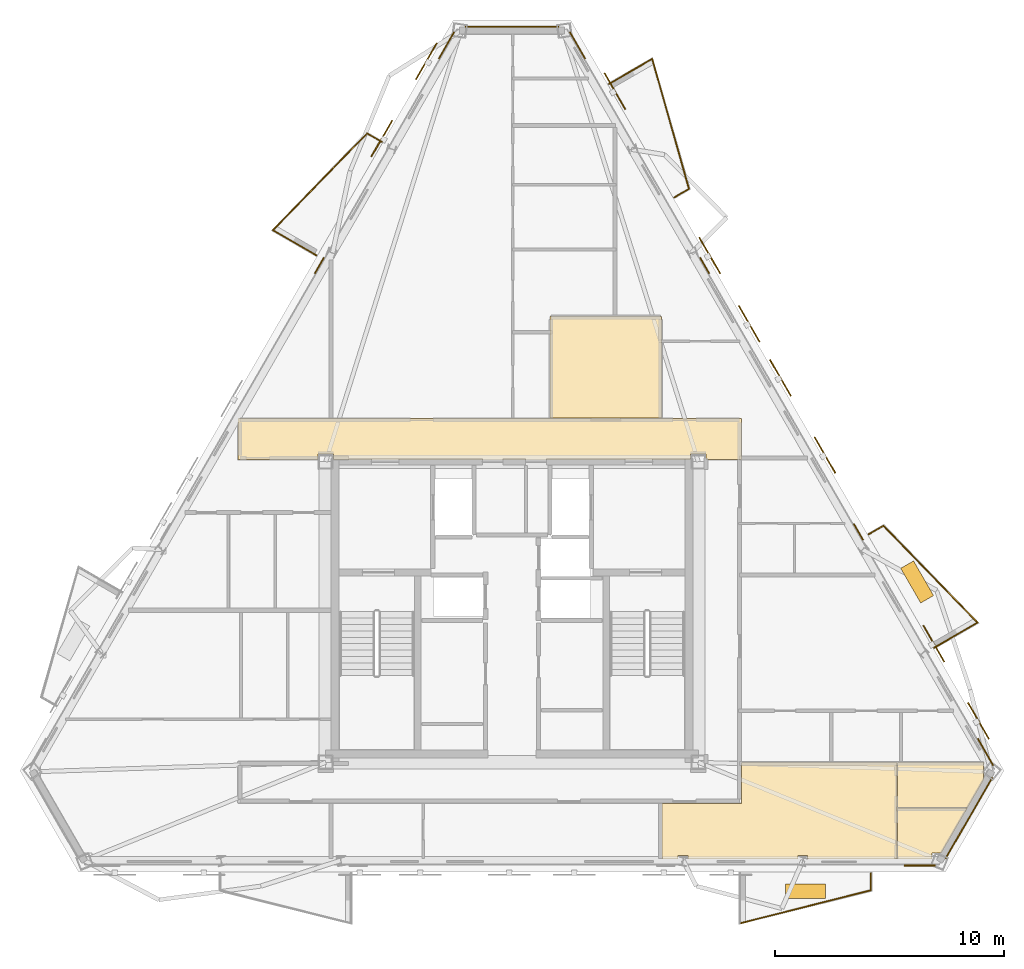
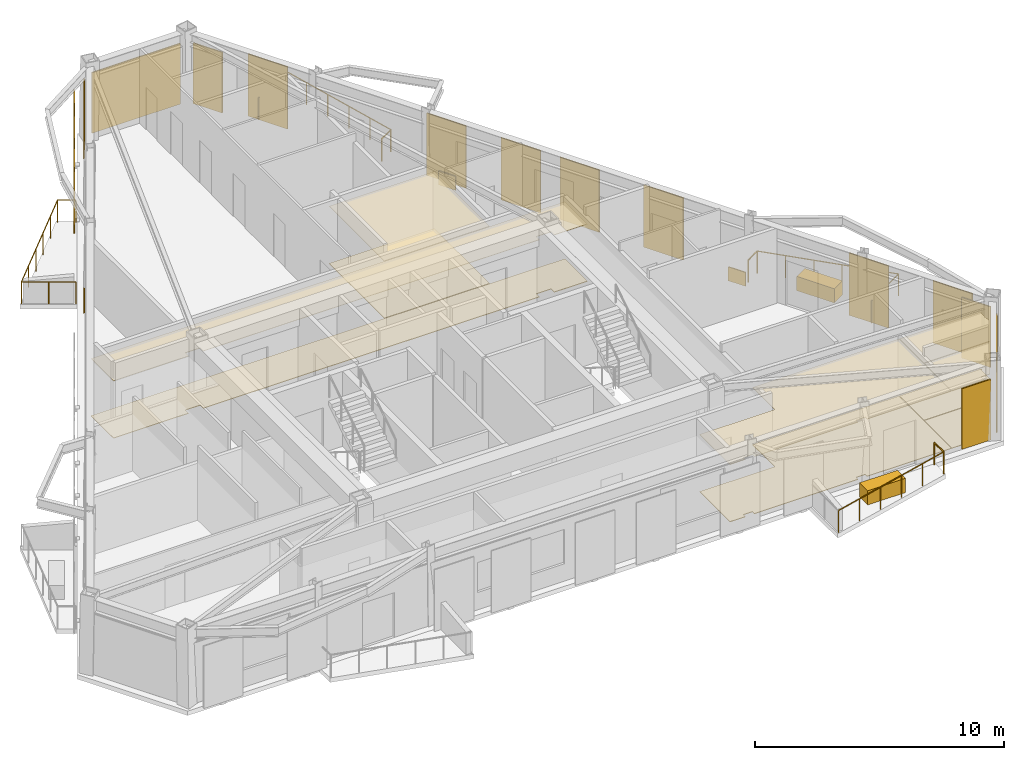
# One storey, part 9 of 9: 21 coverings, 11 railings, 9 shading devices.
"""IFC4 building model written with IfcOpenShell, lengths in metres."""

from ifc_helpers import new_model, si_unit, direction, frame, origin, origin_2d, place, context, subcontext, project, spatial, polyline, rectangle, circle, outline, extrude, material, layer, layer_set, type_object, element, save


model = new_model("IFC4")

# Units and contexts
model_context = context("Model", 3, precision=1e-05, world=origin(), true_north=direction((0.0, 1.0)))
body_context = subcontext(model_context, "Body", "Model", "MODEL_VIEW")
ifc_project = project(units=[si_unit("LENGTHUNIT", "METRE"), si_unit("AREAUNIT", "SQUARE_METRE"), si_unit("VOLUMEUNIT", "CUBIC_METRE"), si_unit("PLANEANGLEUNIT", "RADIAN"), si_unit("MASSUNIT", "GRAM", prefix="KILO")], contexts=[model_context])

# Site, building, storey
site_placement = place(None, origin())
site = spatial("IfcSite", under=ifc_project, at=site_placement, CompositionType="ELEMENT")
building_placement = place(site_placement, origin())
building = spatial("IfcBuilding", under=site, at=building_placement, Name="Oramaril Tower", CompositionType="ELEMENT")
storey_placement = place(building_placement, frame((0.0, 0.0, 277.199951171875)))
storey = spatial("IfcBuildingStorey", under=building, at=storey_placement, Name="L73", CompositionType="ELEMENT", Elevation=277.199951171875)

# Coverings
ifc_material_1 = material(Name="Mineral Fibre Acoustic Ceiling")
ifc_layer_1 = layer(ifc_material_1, 0.02001953125)
ifc_layer_set_1 = layer_set([ifc_layer_1], Name="CVT-CEIL")
covering_type_1 = type_object("IfcCoveringType", Name="CVT-CEIL", PredefinedType="CEILING", material=ifc_layer_set_1)
covering_1_placement = place(storey_placement, frame((0.0, 0.0, 2.81201171875)))
element("IfcCovering", 1, at=covering_1_placement, inside=storey, type_object=covering_type_1, Name="L73 Acoustic Suspended Ceiling 2", PredefinedType="CEILING", context=body_context, shape_type="SweptSolid", body=[
    extrude(outline(polyline([(47.530029296875, 24.239990234375), (45.9951171875, 24.239990234375), (45.9951171875, 24.4951171875), (45.304931640625, 24.4951171875), (45.304931640625, 24.25), (29.695068359375, 24.25), (29.695068359375, 24.4951171875), (29.0048828125, 24.4951171875), (29.0048828125, 24.239990234375), (25.52001953125, 24.239990234375), (25.52001953125, 26.050048828125), (47.530029296875, 26.050048828125), (47.530029296875, 24.239990234375)])), origin(), (0.0, 0.0, 1.0), 0.02001953125),
])
covering_2_placement = place(storey_placement, frame((0.0, 0.0, 2.81201171875)))
element("IfcCovering", 2, at=covering_2_placement, inside=storey, type_object=covering_type_1, Name="L73 Acoustic Suspended Ceiling 4", PredefinedType="CEILING", context=body_context, shape_type="SweptSolid", body=[
    extrude(outline(polyline([(44.0419921875, 30.511962890625), (44.0419921875, 26.070068359375), (39.157958984375, 26.070068359375), (39.157958984375, 30.511962890625), (44.0419921875, 30.511962890625)])), origin(), (0.0, 0.0, 1.0), 0.02001953125),
])
covering_3_placement = place(storey_placement, frame((0.0, 0.0, 2.81201171875)))
element("IfcCovering", 3, at=covering_3_placement, inside=storey, type_object=covering_type_1, Name="L73 Acoustic Suspended Ceiling 7", PredefinedType="CEILING", context=body_context, shape_type="SweptSolid", body=[
    extrude(outline(polyline([(54.35205078125, 10.991943359375), (54.35205078125, 6.760986328125), (50.4345703125, 6.760986328125), (50.4345703125, 6.918212890625), (50.005859375, 6.918212890625), (50.005859375, 6.760986328125), (45.193603515625, 6.760986328125), (45.193603515625, 6.918212890625), (44.771484375, 6.918212890625), (44.771484375, 6.760986328125), (44.06201171875, 6.760986328125), (44.06201171875, 9.199951171875), (47.530029296875, 9.199951171875), (47.531982421875, 9.2001953125), (47.533935546875, 9.200439453125), (47.535888671875, 9.200927734375), (47.53759765625, 9.201416015625), (47.539306640625, 9.202392578125), (47.541015625, 9.203369140625), (47.542724609375, 9.20458984375), (47.544189453125, 9.205810546875), (47.54541015625, 9.207275390625), (47.546630859375, 9.208984375), (47.547607421875, 9.210693359375), (47.548583984375, 9.21240234375), (47.549072265625, 9.214111328125), (47.549560546875, 9.216064453125), (47.5498046875, 9.218017578125), (47.550048828125, 9.219970703125), (47.550048828125, 10.991943359375), (54.35205078125, 10.991943359375)])), origin(), (0.0, 0.0, 1.0), 0.02001953125),
])
covering_4_placement = place(storey_placement, frame((0.0, 0.0, 2.81201171875)))
element("IfcCovering", 4, at=covering_4_placement, inside=storey, type_object=covering_type_1, Name="L73 Acoustic Suspended Ceiling 8", PredefinedType="CEILING", context=body_context, shape_type="SweptSolid", body=[
    extrude(outline(polyline([(56.28857421875, 7.031494140625), (55.874755859375, 7.031494140625), (55.874755859375, 6.760986328125), (54.3720703125, 6.760986328125), (54.3720703125, 9.002685546875), (57.426513671875, 9.002685546875), (56.28857421875, 7.031494140625)])), origin(), (0.0, 0.0, 1.0), 0.02001953125),
])
covering_5_placement = place(storey_placement, frame((0.0, 0.0, 2.81201171875)))
element("IfcCovering", 5, at=covering_5_placement, inside=storey, type_object=covering_type_1, Name="L73 Acoustic Suspended Ceiling 9", PredefinedType="CEILING", context=body_context, shape_type="SweptSolid", body=[
    extrude(outline(polyline([(58.18310546875, 10.953369140625), (58.133544921875, 10.953369140625), (58.133544921875, 10.26416015625), (58.15478515625, 10.26416015625), (57.4365234375, 9.02001953125), (57.43603515625, 9.020263671875), (57.43408203125, 9.02099609375), (57.432373046875, 9.021728515625), (57.430419921875, 9.022216796875), (57.428466796875, 9.022705078125), (57.426513671875, 9.022705078125), (54.3720703125, 9.022705078125), (54.3720703125, 10.991943359375), (58.160888671875, 10.991943359375), (58.18310546875, 10.953369140625)])), origin(), (0.0, 0.0, 1.0), 0.02001953125),
])
ifc_material_2 = material(Name="Warm Cream Limestone", Category="masonry")
ifc_layer_2 = layer(ifc_material_2, 0.050048828125)
ifc_layer_set_2 = layer_set([ifc_layer_2], Name="CVT-CLD")
covering_type_2 = type_object("IfcCoveringType", Name="CVT-CLD", PredefinedType="CLADDING", material=ifc_layer_set_2)
covering_6_placement = place(storey_placement, frame((55.3447265625, 6.485107421875, 0.0400390625), z_axis=(0.0, 0.0, 1.0), x_axis=(1.0, 0.0, 0.0)))
element("IfcCovering", 6, at=covering_6_placement, inside=storey, type_object=covering_type_2, Name="L73 Warm Cream Limestone Cladding", PredefinedType="CLADDING", context=body_context, shape_type="SweptSolid", body=[
    extrude(rectangle(XDim=1.35009765625, YDim=0.050048828125, at=origin_2d()), origin(), (0.0, 0.0, 1.0), 2.97802734375),
])
covering_7_placement = place(storey_placement, frame((57.489013671875, 8.559326171875, 0.0400390625), z_axis=(0.0, 0.0, 1.0), x_axis=(0.499978838858, 0.866037620831, 0.0)))
element("IfcCovering", 7, at=covering_7_placement, inside=storey, type_object=covering_type_2, Name="L73 Warm Cream Limestone Cladding", PredefinedType="CLADDING", context=body_context, shape_type="SweptSolid", body=[
    extrude(rectangle(XDim=4.095947265625, YDim=0.050048828125, at=origin_2d()), origin(), (0.0, 0.0, 1.0), 2.97802734375),
])
for number, where, z_axis, x_axis, name in (
    (8, (58.213134765625, 11.45361328125, 0.0400390625), (0.0, 0.0, 1.0), (-0.4999984885, 0.866026276448, 0.0), "L73 Warm Cream Limestone Cladding"),
    (9, (40.368408203125, 42.361328125, 0.0400390625), (0.0, 0.0, 1.0), (-0.4999984885, 0.866026276448, 0.0), "L73 Warm Cream Limestone Cladding"),
):
    element("IfcCovering", number, at=place(storey_placement, frame(where, z_axis=z_axis, x_axis=x_axis)), inside=storey, type_object=covering_type_2, Name=name, PredefinedType="CLADDING", context=body_context, shape_type="SweptSolid", body=[
        extrude(rectangle(XDim=1.35009765625, YDim=0.050048828125, at=origin_2d()), origin(), (0.0, 0.0, 1.0), 2.97802734375),
    ])
for number, where, z_axis, x_axis, name in (
    (10, (52.65576171875, 21.0791015625, 0.0400390625), (0.0, 0.0, 1.0), (-0.4999984885, 0.866026276448, 0.0), "L73 Warm Cream Limestone Spandrel Cladding"),
    (11, (45.92578125, 32.73583984375, 0.0400390625), (0.0, 0.0, 1.0), (-0.4999984885, 0.866026276448, 0.0), "L73 Warm Cream Limestone Spandrel Cladding"),
):
    element("IfcCovering", number, at=place(storey_placement, frame(where, z_axis=z_axis, x_axis=x_axis)), inside=storey, type_object=covering_type_2, Name=name, PredefinedType="CLADDING", context=body_context, shape_type="SweptSolid", body=[
        extrude(rectangle(XDim=0.800048828125, YDim=0.050048828125, at=origin_2d()), origin(), (0.0, 0.0, 1.0), 0.679931640625),
    ])
covering_8_placement = place(storey_placement, frame((37.5, 43.181396484375, 0.0400390625), z_axis=(0.0, 0.0, 1.0), x_axis=(-1.0, 0.0, 0.0)))
element("IfcCovering", 12, at=covering_8_placement, inside=storey, type_object=covering_type_2, Name="L73 Warm Cream Limestone Cladding", PredefinedType="CLADDING", context=body_context, shape_type="SweptSolid", body=[
    extrude(rectangle(XDim=4.095947265625, YDim=0.050048828125, at=origin_2d()), origin(), (0.0, 0.0, 1.0), 2.97802734375),
])
covering_9_placement = place(storey_placement, frame((34.631591796875, 42.361328125, 0.0400390625), z_axis=(0.0, 0.0, 1.0), x_axis=(-0.4999984885, -0.866026276448, 0.0)))
element("IfcCovering", 13, at=covering_9_placement, inside=storey, type_object=covering_type_2, Name="L73 Warm Cream Limestone Cladding", PredefinedType="CLADDING", context=body_context, shape_type="SweptSolid", body=[
    extrude(rectangle(XDim=1.35009765625, YDim=0.050048828125, at=origin_2d()), origin(), (0.0, 0.0, 1.0), 2.97802734375),
])
covering_10_placement = place(storey_placement, frame((29.07421875, 32.73583984375, 0.0400390625), z_axis=(0.0, 0.0, 1.0), x_axis=(-0.4999984885, -0.866026276448, 0.0)))
element("IfcCovering", 14, at=covering_10_placement, inside=storey, type_object=covering_type_2, Name="L73 Warm Cream Limestone Spandrel Cladding", PredefinedType="CLADDING", context=body_context, shape_type="SweptSolid", body=[
    extrude(rectangle(XDim=0.800048828125, YDim=0.050048828125, at=origin_2d()), origin(), (0.0, 0.0, 1.0), 0.679931640625),
])
for number, where, z_axis, x_axis, name in (
    (15, (50.335205078125, 5.356689453125, 0.0), (0.0, 0.0, 1.0), (1.0, 0.0, 0.0), "L73 Structural Tree Planter Box L73-BAL-S2"),
    (16, (55.223388671875, 18.88916015625, 0.0), (0.0, 0.0, 1.0), (-0.4999984885, 0.866026276448, 0.0), "L73 Structural Tree Planter Box L73-BAL-NE1"),
):
    element("IfcCovering", number, at=place(storey_placement, frame(where, z_axis=z_axis, x_axis=x_axis)), inside=storey, type_object=covering_type_2, Name=name, PredefinedType="CLADDING", context=body_context, shape_type="SweptSolid", body=[
        extrude(rectangle(XDim=1.75, YDim=0.64990234375, at=origin_2d()), origin(), (0.0, 0.0, 1.0), 0.699951171875),
    ])
ifc_material_3 = material(Name="Honed Quartzite Stone Flooring", Category="masonry")
ifc_layer_3 = layer(ifc_material_3, 0.02490234375)
ifc_layer_set_3 = layer_set([ifc_layer_3], Name="CVT-FLR")
covering_type_3 = type_object("IfcCoveringType", Name="CVT-FLR", PredefinedType="FLOORING", material=ifc_layer_set_3)
covering_11_placement = place(storey_placement, origin())
element("IfcCovering", 17, at=covering_11_placement, inside=storey, type_object=covering_type_3, Name="L73 Honed Stone Floor Finish 2", PredefinedType="FLOORING", context=body_context, shape_type="SweptSolid", body=[
    extrude(outline(polyline([(47.530029296875, 24.239990234375), (45.9951171875, 24.239990234375), (45.9951171875, 24.4951171875), (45.304931640625, 24.4951171875), (45.304931640625, 24.25), (29.695068359375, 24.25), (29.695068359375, 24.4951171875), (29.0048828125, 24.4951171875), (29.0048828125, 24.239990234375), (25.52001953125, 24.239990234375), (25.52001953125, 26.050048828125), (47.530029296875, 26.050048828125), (47.530029296875, 24.239990234375)])), origin(), (0.0, 0.0, 1.0), 0.025146484375),
])
covering_12_placement = place(storey_placement, origin())
element("IfcCovering", 18, at=covering_12_placement, inside=storey, type_object=covering_type_3, Name="L73 Honed Stone Floor Finish 4", PredefinedType="FLOORING", context=body_context, shape_type="SweptSolid", body=[
    extrude(outline(polyline([(44.0419921875, 30.511962890625), (44.0419921875, 26.070068359375), (39.157958984375, 26.070068359375), (39.157958984375, 30.511962890625), (44.0419921875, 30.511962890625)])), origin(), (0.0, 0.0, 1.0), 0.025146484375),
])
covering_13_placement = place(storey_placement, origin())
element("IfcCovering", 19, at=covering_13_placement, inside=storey, type_object=covering_type_3, Name="L73 Honed Stone Floor Finish 7", PredefinedType="FLOORING", context=body_context, shape_type="SweptSolid", body=[
    extrude(outline(polyline([(54.35205078125, 10.991943359375), (54.35205078125, 6.760986328125), (50.4345703125, 6.760986328125), (50.4345703125, 6.918212890625), (50.005859375, 6.918212890625), (50.005859375, 6.760986328125), (45.193603515625, 6.760986328125), (45.193603515625, 6.918212890625), (44.771484375, 6.918212890625), (44.771484375, 6.760986328125), (44.06201171875, 6.760986328125), (44.06201171875, 9.199951171875), (47.530029296875, 9.199951171875), (47.531982421875, 9.2001953125), (47.533935546875, 9.200439453125), (47.535888671875, 9.200927734375), (47.53759765625, 9.201416015625), (47.539306640625, 9.202392578125), (47.541015625, 9.203369140625), (47.542724609375, 9.20458984375), (47.544189453125, 9.205810546875), (47.54541015625, 9.207275390625), (47.546630859375, 9.208984375), (47.547607421875, 9.210693359375), (47.548583984375, 9.21240234375), (47.549072265625, 9.214111328125), (47.549560546875, 9.216064453125), (47.5498046875, 9.218017578125), (47.550048828125, 9.219970703125), (47.550048828125, 10.991943359375), (54.35205078125, 10.991943359375)])), origin(), (0.0, 0.0, 1.0), 0.025146484375),
])
covering_14_placement = place(storey_placement, origin())
element("IfcCovering", 20, at=covering_14_placement, inside=storey, type_object=covering_type_3, Name="L73 Honed Stone Floor Finish 8", PredefinedType="FLOORING", context=body_context, shape_type="SweptSolid", body=[
    extrude(outline(polyline([(56.28857421875, 7.031494140625), (55.874755859375, 7.031494140625), (55.874755859375, 6.760986328125), (54.3720703125, 6.760986328125), (54.3720703125, 9.002685546875), (57.426513671875, 9.002685546875), (56.28857421875, 7.031494140625)])), origin(), (0.0, 0.0, 1.0), 0.025146484375),
])
covering_15_placement = place(storey_placement, origin())
element("IfcCovering", 21, at=covering_15_placement, inside=storey, type_object=covering_type_3, Name="L73 Honed Stone Floor Finish 9", PredefinedType="FLOORING", context=body_context, shape_type="SweptSolid", body=[
    extrude(outline(polyline([(58.18310546875, 10.953369140625), (58.133544921875, 10.953369140625), (58.133544921875, 10.26416015625), (58.15478515625, 10.26416015625), (57.4365234375, 9.02001953125), (57.43603515625, 9.020263671875), (57.43408203125, 9.02099609375), (57.432373046875, 9.021728515625), (57.430419921875, 9.022216796875), (57.428466796875, 9.022705078125), (57.426513671875, 9.022705078125), (54.3720703125, 9.022705078125), (54.3720703125, 10.991943359375), (58.160888671875, 10.991943359375), (58.18310546875, 10.953369140625)])), origin(), (0.0, 0.0, 1.0), 0.025146484375),
])

# Railings
ifc_material_4 = material(Name="Stainless Steel 316L", Category="steel")
railing_type = type_object("IfcRailingType", Name="RLT-GRD", PredefinedType="GUARDRAIL", material=ifc_material_4)
railing_1_placement = place(storey_placement, frame((53.2001953125, 6.14501953125, 0.0)))
element("IfcRailing", 22, at=railing_1_placement, inside=storey, type_object=railing_type, Name="L73 Balcony Guardrail L73-BAL-S2.1", PredefinedType="GUARDRAIL", context=body_context, shape_type="SweptSolid", body=[
    extrude(circle(Radius=0.02392578125, at=origin_2d()), frame((0.0, 0.0, 1.076171875), z_axis=(0.0, -1.0, 0.0), x_axis=(1.0, 0.0, 0.0)), (0.0, 0.0, 1.0), 0.741943359375),
    extrude(circle(Radius=0.02099609375, at=origin_2d()), origin(), (0.0, 0.0, 1.0), 1.052001953125),
    extrude(circle(Radius=0.02099609375, at=origin_2d()), frame((0.0, -0.741943359375, 0.0)), (0.0, 0.0, 1.0), 1.052001953125),
])
railing_2_placement = place(storey_placement, frame((53.2001953125, 5.403076171875, 0.0)))
element("IfcRailing", 23, at=railing_2_placement, inside=storey, type_object=railing_type, Name="L73 Balcony Guardrail L73-BAL-S2.2", PredefinedType="GUARDRAIL", context=body_context, shape_type="SweptSolid", body=[
    extrude(circle(Radius=0.02392578125, at=origin_2d()), frame((0.0, 0.0, 1.076171875), z_axis=(-0.969443611257, -0.245314256807, 0.0), x_axis=(0.245314256807, -0.969443611257, 0.0)), (0.0, 0.0, 1.0), 5.91064453125),
    extrude(circle(Radius=0.02099609375, at=origin_2d()), origin(), (0.0, 0.0, 1.0), 1.052001953125),
    extrude(circle(Radius=0.02099609375, at=origin_2d()), frame((-1.14599609375, -0.2900390625, 0.0)), (0.0, 0.0, 1.0), 1.052001953125),
    extrude(circle(Radius=0.02099609375, at=origin_2d()), frame((-2.2919921875, -0.580078125, 0.0)), (0.0, 0.0, 1.0), 1.052001953125),
    extrude(circle(Radius=0.02099609375, at=origin_2d()), frame((-3.43798828125, -0.869873046875, 0.0)), (0.0, 0.0, 1.0), 1.052001953125),
    extrude(circle(Radius=0.02099609375, at=origin_2d()), frame((-4.583984375, -1.159912109375, 0.0)), (0.0, 0.0, 1.0), 1.052001953125),
    extrude(circle(Radius=0.02099609375, at=origin_2d()), frame((-5.72998046875, -1.449951171875, 0.0)), (0.0, 0.0, 1.0), 1.052001953125),
])
railing_3_placement = place(storey_placement, frame((53.10791015625, 20.97607421875, 0.0)))
element("IfcRailing", 24, at=railing_3_placement, inside=storey, type_object=railing_type, Name="L73 Balcony Guardrail L73-BAL-NE1.1", PredefinedType="GUARDRAIL", context=body_context, shape_type="SweptSolid", body=[
    extrude(circle(Radius=0.02392578125, at=origin_2d()), frame((0.0, 0.0, 1.076171875), z_axis=(0.865966403178, 0.500102178127, 0.0), x_axis=(-0.500102178127, 0.865966403178, 0.0)), (0.0, 0.0, 1.0), 0.741943359375),
    extrude(circle(Radius=0.02099609375, at=origin_2d()), origin(), (0.0, 0.0, 1.0), 1.052001953125),
    extrude(circle(Radius=0.02099609375, at=origin_2d()), frame((0.642578125, 0.37109375, 0.0)), (0.0, 0.0, 1.0), 1.052001953125),
])
railing_4_placement = place(storey_placement, frame((53.75048828125, 21.34716796875, 0.0)))
element("IfcRailing", 25, at=railing_4_placement, inside=storey, type_object=railing_type, Name="L73 Balcony Guardrail L73-BAL-NE1.2", PredefinedType="GUARDRAIL", context=body_context, shape_type="SweptSolid", body=[
    extrude(circle(Radius=0.02392578125, at=origin_2d()), frame((0.0, 0.0, 1.076171875), z_axis=(0.697165686546, -0.716910040034, 0.0), x_axis=(0.716910040034, 0.697165686546, 0.0)), (0.0, 0.0, 1.0), 5.910400390625),
    extrude(circle(Radius=0.02099609375, at=origin_2d()), origin(), (0.0, 0.0, 1.0), 1.052001953125),
    extrude(circle(Radius=0.02099609375, at=origin_2d()), frame((0.82421875, -0.847412109375, 0.0)), (0.0, 0.0, 1.0), 1.052001953125),
    extrude(circle(Radius=0.02099609375, at=origin_2d()), frame((1.648193359375, -1.69482421875, 0.0)), (0.0, 0.0, 1.0), 1.052001953125),
    extrude(circle(Radius=0.02099609375, at=origin_2d()), frame((2.472412109375, -2.54248046875, 0.0)), (0.0, 0.0, 1.0), 1.052001953125),
    extrude(circle(Radius=0.02099609375, at=origin_2d()), frame((3.29638671875, -3.389892578125, 0.0)), (0.0, 0.0, 1.0), 1.052001953125),
    extrude(circle(Radius=0.02099609375, at=origin_2d()), frame((4.12060546875, -4.2373046875, 0.0)), (0.0, 0.0, 1.0), 1.052001953125),
])
railing_5_placement = place(storey_placement, frame((57.87109375, 17.10986328125, 0.0)))
element("IfcRailing", 26, at=railing_5_placement, inside=storey, type_object=railing_type, Name="L73 Balcony Guardrail L73-BAL-NE1.3", PredefinedType="GUARDRAIL", context=body_context, shape_type="SweptSolid", body=[
    extrude(circle(Radius=0.02392578125, at=origin_2d()), frame((0.0, 0.0, 1.076171875), z_axis=(-0.866020500697, -0.5000084923, 0.0), x_axis=(0.5000084923, -0.866020500697, 0.0)), (0.0, 0.0, 1.0), 2.19189453125),
    extrude(circle(Radius=0.02099609375, at=origin_2d()), origin(), (0.0, 0.0, 1.0), 1.052001953125),
    extrude(circle(Radius=0.02099609375, at=origin_2d()), frame((-0.94921875, -0.5478515625, 0.0)), (0.0, 0.0, 1.0), 1.052001953125),
    extrude(circle(Radius=0.02099609375, at=origin_2d()), frame((-1.898193359375, -1.095947265625, 0.0)), (0.0, 0.0, 1.0), 1.052001953125),
])
railing_6_placement = place(storey_placement, frame((41.735107421875, 40.67431640625, 0.0)))
element("IfcRailing", 27, at=railing_6_placement, inside=storey, type_object=railing_type, Name="L73 Balcony Guardrail L73-BAL-NE2.1", PredefinedType="GUARDRAIL", context=body_context, shape_type="SweptSolid", body=[
    extrude(circle(Radius=0.02392578125, at=origin_2d()), frame((0.0, 0.0, 1.076171875), z_axis=(0.866048343933, 0.499960264392, 0.0), x_axis=(-0.499960264392, 0.866048343933, 0.0)), (0.0, 0.0, 1.0), 2.192138671875),
    extrude(circle(Radius=0.02099609375, at=origin_2d()), origin(), (0.0, 0.0, 1.0), 1.052001953125),
    extrude(circle(Radius=0.02099609375, at=origin_2d()), frame((0.94921875, 0.5478515625, 0.0)), (0.0, 0.0, 1.0), 1.052001953125),
    extrude(circle(Radius=0.02099609375, at=origin_2d()), frame((1.8984375, 1.095947265625, 0.0)), (0.0, 0.0, 1.0), 1.052001953125),
])
railing_7_placement = place(storey_placement, frame((43.633544921875, 41.770263671875, 0.0)))
element("IfcRailing", 28, at=railing_7_placement, inside=storey, type_object=railing_type, Name="L73 Balcony Guardrail L73-BAL-NE2.2", PredefinedType="GUARDRAIL", context=body_context, shape_type="SweptSolid", body=[
    extrude(circle(Radius=0.02392578125, at=origin_2d()), frame((0.0, 0.0, 1.076171875), z_axis=(0.27224886544, -0.962226873074, 0.0), x_axis=(0.962226873074, 0.27224886544, 0.0)), (0.0, 0.0, 1.0), 5.910400390625),
    extrude(circle(Radius=0.02099609375, at=origin_2d()), origin(), (0.0, 0.0, 1.0), 1.052001953125),
    extrude(circle(Radius=0.02099609375, at=origin_2d()), frame((0.32177734375, -1.137451171875, 0.0)), (0.0, 0.0, 1.0), 1.052001953125),
    extrude(circle(Radius=0.02099609375, at=origin_2d()), frame((0.6435546875, -2.27490234375, 0.0)), (0.0, 0.0, 1.0), 1.052001953125),
    extrude(circle(Radius=0.02099609375, at=origin_2d()), frame((0.965576171875, -3.412353515625, 0.0)), (0.0, 0.0, 1.0), 1.052001953125),
    extrude(circle(Radius=0.02099609375, at=origin_2d()), frame((1.287353515625, -4.5498046875, 0.0)), (0.0, 0.0, 1.0), 1.052001953125),
    extrude(circle(Radius=0.02099609375, at=origin_2d()), frame((1.609130859375, -5.687255859375, 0.0)), (0.0, 0.0, 1.0), 1.052001953125),
])
railing_8_placement = place(storey_placement, frame((45.24267578125, 36.0830078125, 0.0)))
element("IfcRailing", 29, at=railing_8_placement, inside=storey, type_object=railing_type, Name="L73 Balcony Guardrail L73-BAL-NE2.3", PredefinedType="GUARDRAIL", context=body_context, shape_type="SweptSolid", body=[
    extrude(circle(Radius=0.02392578125, at=origin_2d()), frame((0.0, 0.0, 1.076171875), z_axis=(-0.865966403178, -0.500102178127, 0.0), x_axis=(0.500102178127, -0.865966403178, 0.0)), (0.0, 0.0, 1.0), 0.741943359375),
    extrude(circle(Radius=0.02099609375, at=origin_2d()), origin(), (0.0, 0.0, 1.0), 1.052001953125),
    extrude(circle(Radius=0.02099609375, at=origin_2d()), frame((-0.642578125, -0.37109375, 0.0)), (0.0, 0.0, 1.0), 1.052001953125),
])
railing_9_placement = place(storey_placement, frame((28.937255859375, 33.1787109375, 0.0)))
element("IfcRailing", 30, at=railing_9_placement, inside=storey, type_object=railing_type, Name="L73 Balcony Guardrail L73-BAL-NW1.1", PredefinedType="GUARDRAIL", context=body_context, shape_type="SweptSolid", body=[
    extrude(circle(Radius=0.02392578125, at=origin_2d()), frame((0.0, 0.0, 1.076171875), z_axis=(-0.865972267571, 0.50009202333, 0.0), x_axis=(-0.50009202333, -0.865972267571, 0.0)), (0.0, 0.0, 1.0), 2.19189453125),
    extrude(circle(Radius=0.02099609375, at=origin_2d()), origin(), (0.0, 0.0, 1.0), 1.052001953125),
    extrude(circle(Radius=0.02099609375, at=origin_2d()), frame((-0.94921875, 0.548095703125, 0.0)), (0.0, 0.0, 1.0), 1.052001953125),
    extrude(circle(Radius=0.02099609375, at=origin_2d()), frame((-1.898193359375, 1.09619140625, 0.0)), (0.0, 0.0, 1.0), 1.052001953125),
])
railing_10_placement = place(storey_placement, frame((27.0390625, 34.27490234375, 0.0)))
element("IfcRailing", 31, at=railing_10_placement, inside=storey, type_object=railing_type, Name="L73 Balcony Guardrail L73-BAL-NW1.2", PredefinedType="GUARDRAIL", context=body_context, shape_type="SweptSolid", body=[
    extrude(circle(Radius=0.02392578125, at=origin_2d()), frame((0.0, 0.0, 1.076171875), z_axis=(0.697186915353, 0.716889395277, 0.0), x_axis=(-0.716889395277, 0.697186915353, 0.0)), (0.0, 0.0, 1.0), 5.91064453125),
    extrude(circle(Radius=0.02099609375, at=origin_2d()), origin(), (0.0, 0.0, 1.0), 1.052001953125),
    extrude(circle(Radius=0.02099609375, at=origin_2d()), frame((0.82421875, 0.847412109375, 0.0)), (0.0, 0.0, 1.0), 1.052001953125),
    extrude(circle(Radius=0.02099609375, at=origin_2d()), frame((1.6484375, 1.69482421875, 0.0)), (0.0, 0.0, 1.0), 1.052001953125),
    extrude(circle(Radius=0.02099609375, at=origin_2d()), frame((2.472412109375, 2.54248046875, 0.0)), (0.0, 0.0, 1.0), 1.052001953125),
    extrude(circle(Radius=0.02099609375, at=origin_2d()), frame((3.296630859375, 3.389892578125, 0.0)), (0.0, 0.0, 1.0), 1.052001953125),
    extrude(circle(Radius=0.02099609375, at=origin_2d()), frame((4.120849609375, 4.2373046875, 0.0)), (0.0, 0.0, 1.0), 1.052001953125),
])
railing_11_placement = place(storey_placement, frame((31.159912109375, 38.51220703125, 0.0)))
element("IfcRailing", 32, at=railing_11_placement, inside=storey, type_object=railing_type, Name="L73 Balcony Guardrail L73-BAL-NW1.3", PredefinedType="GUARDRAIL", context=body_context, shape_type="SweptSolid", body=[
    extrude(circle(Radius=0.02392578125, at=origin_2d()), frame((0.0, 0.0, 1.076171875), z_axis=(0.865884080729, -0.500244698863, 0.0), x_axis=(0.500244698863, 0.865884080729, 0.0)), (0.0, 0.0, 1.0), 0.741943359375),
    extrude(circle(Radius=0.02099609375, at=origin_2d()), origin(), (0.0, 0.0, 1.0), 1.052001953125),
    extrude(circle(Radius=0.02099609375, at=origin_2d()), frame((0.642333984375, -0.37109375, 0.0)), (0.0, 0.0, 1.0), 1.052001953125),
])

# Shading devices
for number, where, z_axis, x_axis, name in (
    (33, (57.904296875, 12.812255859375, -0.02001953125), (0.0, 0.0, 1.0), (-0.4999984885, 0.866026276448, 0.0), "L73 Perforated Ceramic Solar Screen"),
    (34, (55.954345703125, 16.189697265625, -0.02001953125), (0.0, 0.0, 1.0), (-0.4999984885, 0.866026276448, 0.0), "L73 Perforated Ceramic Solar Screen"),
    (35, (42.002197265625, 40.35595703125, -0.02001953125), (0.0, 0.0, 1.0), (-0.4999984885, 0.866026276448, 0.0), "L73 Perforated Ceramic Solar Screen"),
    (36, (51.19189453125, 24.438720703125, -0.02001953125), (0.0, 0.0, 1.0), (-0.4999984885, 0.866026276448, 0.0), "L73 Perforated Ceramic Solar Screen"),
    (37, (49.241943359375, 27.816162109375, -0.02001953125), (0.0, 0.0, 1.0), (-0.4999984885, 0.866026276448, 0.0), "L73 Perforated Ceramic Solar Screen"),
    (38, (47.8740234375, 30.185302734375, -0.02001953125), (0.0, 0.0, 1.0), (-0.4999984885, 0.866026276448, 0.0), "L73 Perforated Ceramic Solar Screen"),
    (39, (46.15087890625, 33.169921875, -0.02001953125), (0.0, 0.0, 1.0), (-0.4999984885, 0.866026276448, 0.0), "L73 Perforated Ceramic Solar Screen"),
    (40, (33.753662109375, 41.6650390625, -0.02001953125), (0.0, 0.0, 1.0), (-0.4999984885, -0.866026276448, 0.0), "L73 Perforated Ceramic Solar Screen"),
    (41, (31.8037109375, 38.28759765625, -0.02001953125), (0.0, 0.0, 1.0), (-0.4999984885, -0.866026276448, 0.0), "L73 Perforated Ceramic Solar Screen"),
):
    element("IfcShadingDevice", number, at=place(storey_placement, frame(where, z_axis=z_axis, x_axis=x_axis)), inside=storey, Name=name, ObjectType="SCREEN", PredefinedType="USERDEFINED", context=body_context, shape_type="SweptSolid", body=[
        extrude(rectangle(XDim=1.8330078125, YDim=0.050048828125, at=origin_2d()), origin(), (0.0, 0.0, 1.0), 3.05810546875),
    ])

save(model, "model.ifc")
